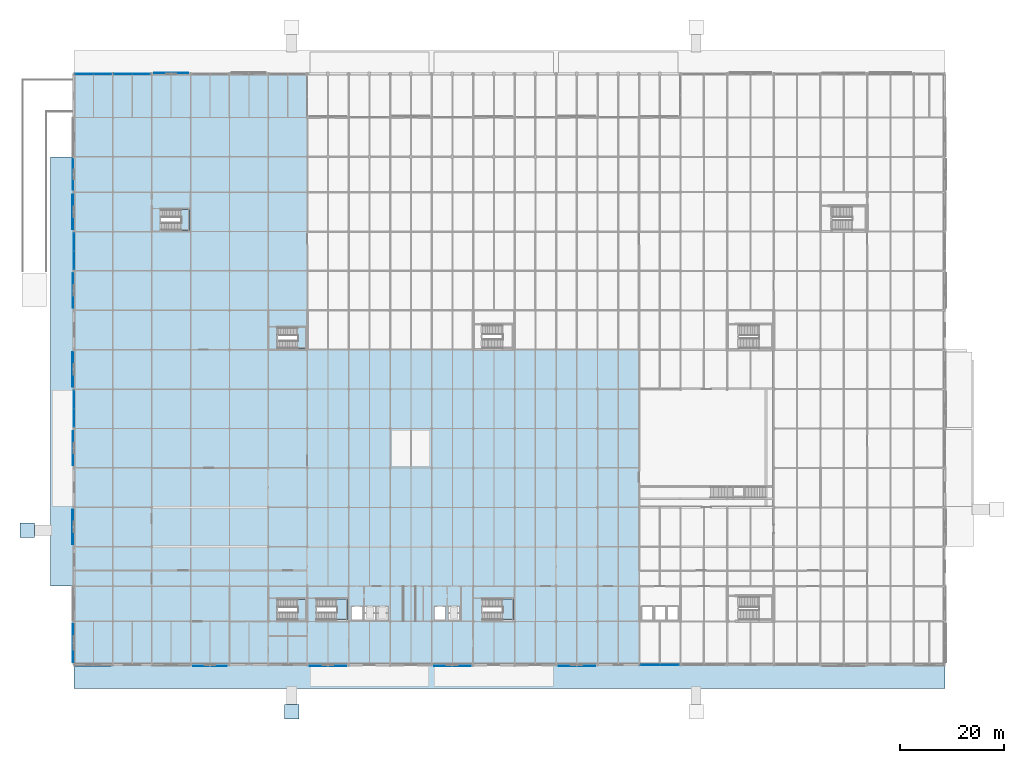
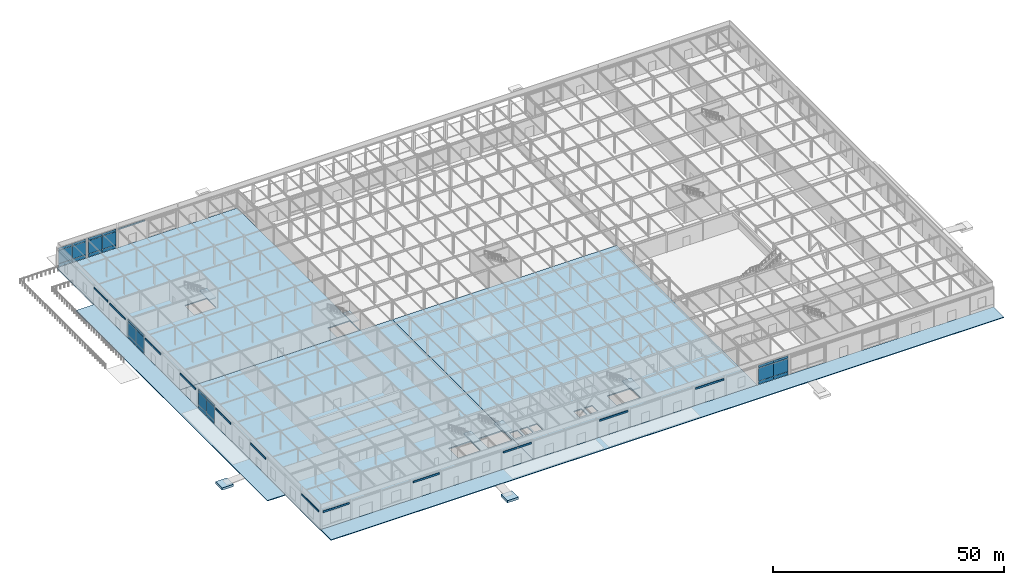
# One storey, part 56 of 89: 43 plates, 12 slabs, 10 elements without a shape of their own.
"""IFC4 building model written with IfcOpenShell, lengths in metres."""

import ifcopenshell
import ifcopenshell.guid

model = None  # the IFC model being written
_history = None  # IfcOwnerHistory: only IFC2X3 demands one
_inside = {}  # id of a spatial element -> (the spatial element, [elements in it])
_under = {}  # id of a project, library or spatial element -> (it, [spatial elements below it])
_declared = {}  # id of a project -> (the project, [libraries it declares])
_typed = {}  # id of a type object -> (the type object, [elements of that type])
_made_of = {}  # id of a material, layer set ... -> (it, [elements and type objects made of it])


def new_model(schema):
    """Start an empty IFC model of exactly this schema.

    Asked for "IFC4X3", IfcOpenShell would pick the latest addendum, in which some entities
    have other attributes; the version numbers below select the first issue.
    IFC2X3 requires an IfcOwnerHistory on every rooted entity: one is made here for all.
    """
    global model, _history
    if schema == "IFC4X3":
        model = ifcopenshell.file(schema_version=(4, 3, 0, 0))
    else:
        model = ifcopenshell.file(schema=schema)
    _inside.clear()
    _under.clear()
    _declared.clear()
    _typed.clear()
    _made_of.clear()
    _history = None
    if model.schema == "IFC2X3":
        org = make("IfcOrganization", Name="unknown")
        user = make(
            "IfcPersonAndOrganization",
            ThePerson=make("IfcPerson", FamilyName="unknown"),
            TheOrganization=org,
        )
        app = make(
            "IfcApplication",
            ApplicationDeveloper=org,
            Version="unknown",
            ApplicationFullName="unknown",
            ApplicationIdentifier="unknown",
        )
        _history = make(
            "IfcOwnerHistory",
            OwningUser=user,
            OwningApplication=app,
            ChangeAction="ADDED",
            CreationDate=0,
        )
    return model


def make(cls, **values):
    """One entity of the class cls with the attributes given. An attribute that is None is left unset."""
    return model.create_entity(
        cls, **{name: value for name, value in values.items() if value is not None}
    )


def rooted(cls, **values):
    """An entity with a GlobalId (a new one), such as an element, a storey or a relation."""
    return make(cls, GlobalId=ifcopenshell.guid.new(), OwnerHistory=_history, **values)


def si_unit(unit_type, name, prefix=None):
    """IfcSIUnit, for example si_unit("LENGTHUNIT", "METRE", prefix="MILLI")."""
    return make("IfcSIUnit", UnitType=unit_type, Prefix=prefix, Name=name)


def assignment(units):
    """IfcUnitAssignment: the units of a project."""
    return None if units is None else make("IfcUnitAssignment", Units=units)


def point(xyz):
    """IfcCartesianPoint."""
    return None if xyz is None else make("IfcCartesianPoint", Coordinates=xyz)


def direction(xyz):
    """IfcDirection."""
    return None if xyz is None else make("IfcDirection", DirectionRatios=xyz)


def frame(location, z_axis=None, x_axis=None):
    """IfcAxis2Placement3D, a coordinate frame: its origin and axes. An axis left out is left unset."""
    return make(
        "IfcAxis2Placement3D",
        Location=point(location),
        Axis=direction(z_axis),
        RefDirection=direction(x_axis),
    )


def frame_2d(location, x_axis=None):
    """IfcAxis2Placement2D, a coordinate frame in the plane: its origin and x axis."""
    return make(
        "IfcAxis2Placement2D", Location=point(location), RefDirection=direction(x_axis)
    )


def origin():
    """The frame at (0, 0, 0) with its axes left unset."""
    return frame((0.0, 0.0, 0.0))


def origin_2d():
    """The frame at (0, 0) in the plane with its x axis left unset."""
    return frame_2d((0.0, 0.0))


def place(relative_to, where):
    """IfcLocalPlacement: puts the frame where relative to a parent placement (None: the world)."""
    return make(
        "IfcLocalPlacement", PlacementRelTo=relative_to, RelativePlacement=where
    )


def context(
    kind, dimensions, precision=None, world=None, true_north=None, identifier=None
):
    """IfcGeometricRepresentationContext, for example the 3D "Model" context."""
    return make(
        "IfcGeometricRepresentationContext",
        ContextIdentifier=identifier,
        ContextType=kind,
        CoordinateSpaceDimension=dimensions,
        Precision=precision,
        WorldCoordinateSystem=world,
        TrueNorth=true_north,
    )


def subcontext(parent, identifier, kind, view, scale=None):
    """IfcGeometricRepresentationSubContext, for example "Body" below "Model"."""
    return make(
        "IfcGeometricRepresentationSubContext",
        ContextIdentifier=identifier,
        ContextType=kind,
        ParentContext=parent,
        TargetScale=scale,
        TargetView=view,
    )


def project(units=None, contexts=None):
    """IfcProject with its units and contexts."""
    return rooted(
        "IfcProject",
        Name="project",
        RepresentationContexts=contexts,
        UnitsInContext=assignment(units),
    )


def spatial(cls, under=None, at=None, **own):
    """A site, building, storey or space (cls), placed at a placement, below another one or the project."""
    s = rooted(cls, ObjectPlacement=at, **own)
    if under is not None:
        _under.setdefault(under.id(), (under, []))[1].append(s)
    return s


def polyline(points):
    """IfcPolyline through the points."""
    return make("IfcPolyline", Points=[point(p) for p in points])


def profile(cls, at=None, kind="AREA", **sizes):
    """A parametric profile (cls). Its sizes go by their IFC names, for example OverallWidth=200.0."""
    return make(cls, ProfileType=kind, Position=at, **sizes)


def rectangle(**sizes):
    """IfcRectangleProfileDef."""
    return profile("IfcRectangleProfileDef", **sizes)


def outline(outer, holes=None, kind="AREA"):
    """IfcArbitraryClosedProfileDef: a profile drawn as a closed curve; with holes, ...WithVoids."""
    if holes is None:
        return make("IfcArbitraryClosedProfileDef", ProfileType=kind, OuterCurve=outer)
    return make(
        "IfcArbitraryProfileDefWithVoids",
        ProfileType=kind,
        OuterCurve=outer,
        InnerCurves=holes,
    )


def extrude(swept, where, along, depth):
    """IfcExtrudedAreaSolid: the profile swept, set in the frame where, extruded along a direction by depth."""
    return make(
        "IfcExtrudedAreaSolid",
        SweptArea=swept,
        Position=where,
        ExtrudedDirection=direction(along),
        Depth=depth,
    )


def shape(context_of_items, identifier, shape_type, items):
    """IfcShapeRepresentation: the items that make up one representation, for example the "Body"."""
    return make(
        "IfcShapeRepresentation",
        ContextOfItems=context_of_items,
        RepresentationIdentifier=identifier,
        RepresentationType=shape_type,
        Items=items,
    )


def material(Name=None, Category=None):
    """IfcMaterial."""
    return make("IfcMaterial", Name=Name, Category=Category)


def layer(
    of_material, thickness, ventilated=None, Name=None, Category=None, Priority=None
):
    """IfcMaterialLayer: one layer of a wall or slab, of a material (None: an air gap)."""
    return make(
        "IfcMaterialLayer",
        Material=of_material,
        LayerThickness=thickness,
        IsVentilated=ventilated,
        Name=Name,
        Category=Category,
        Priority=Priority,
    )


def layer_set(layers, Name=None):
    """IfcMaterialLayerSet."""
    return make("IfcMaterialLayerSet", MaterialLayers=layers, LayerSetName=Name)


def made_of(thing, what):
    """Note that an element or type object is made of a material, layer set ...; save() writes the relation."""
    if what is not None:
        _made_of.setdefault(what.id(), (what, []))[1].append(thing)
    return thing


def type_object(cls, material=None, **own):
    """A type object (cls), such as IfcWallType, which elements share."""
    return made_of(rooted(cls, **own), material)


def element(
    cls,
    number,
    at=None,
    inside=None,
    cuts=None,
    type_object=None,
    material=None,
    context=None,
    identifier="Body",
    shape_type=None,
    held_by="IfcProductDefinitionShape",
    body=None,
    shapes=None,
    **own,
):
    """One element of the class cls, such as IfcWall. Its Tag is "e" and its number.

    at: its placement. inside: the storey or other place that contains it. cuts: it is an
    opening in that element (IfcRelVoidsElement). A single representation is given by context,
    identifier, shape_type and body (its items); several are given by shapes. held_by: the class
    of the entity that holds the representations. save() writes the other relations.
    """
    e = rooted(cls, Tag="e%d" % number, ObjectPlacement=at, **own)
    if body is not None:
        shapes = [shape(context, identifier, shape_type, body)]
    if shapes is not None:
        e.Representation = make(held_by, Representations=shapes)
    if inside is not None:
        _inside.setdefault(inside.id(), (inside, []))[1].append(e)
    if cuts is not None:
        rooted(
            "IfcRelVoidsElement", RelatingBuildingElement=cuts, RelatedOpeningElement=e
        )
    if type_object is not None:
        _typed.setdefault(type_object.id(), (type_object, []))[1].append(e)
    return made_of(e, material)


def aggregate(whole, parts):
    """IfcRelAggregates: a whole, such as a stair, and the parts it consists of."""
    return rooted("IfcRelAggregates", RelatingObject=whole, RelatedObjects=parts)


def save(model, path):
    """Write the relations noted so far, then the file.

    IfcRelAggregates (storeys below a building ...), IfcRelContainedInSpatialStructure (elements
    in a storey), IfcRelDefinesByType, IfcRelAssociatesMaterial and IfcRelDeclares: one each for
    every whole, place, type object, material and project.
    """
    for whole, parts in _under.values():
        aggregate(whole, parts)
    for where, things in _inside.values():
        rooted(
            "IfcRelContainedInSpatialStructure",
            RelatedElements=things,
            RelatingStructure=where,
        )
    for kind, things in _typed.values():
        rooted("IfcRelDefinesByType", RelatedObjects=things, RelatingType=kind)
    for what, things in _made_of.values():
        rooted("IfcRelAssociatesMaterial", RelatedObjects=things, RelatingMaterial=what)
    for by, libraries in _declared.values():
        rooted("IfcRelDeclares", RelatingContext=by, RelatedDefinitions=libraries)
    model.write(path)


model = new_model("IFC4")

# Units and contexts
model_context = context("Model", 3, precision=1e-05, world=origin(), true_north=direction((0.0, 1.0)))
body_context = subcontext(model_context, "Body", "Model", "MODEL_VIEW")
ifc_project = project(units=[si_unit("LENGTHUNIT", "METRE"), si_unit("AREAUNIT", "SQUARE_METRE"), si_unit("VOLUMEUNIT", "CUBIC_METRE"), si_unit("PLANEANGLEUNIT", "RADIAN"), si_unit("MASSUNIT", "GRAM", prefix="KILO")], contexts=[model_context])

# Site, building, storey
site_placement = place(None, origin())
site = spatial("IfcSite", under=ifc_project, at=site_placement, CompositionType="ELEMENT")
building_placement = place(site_placement, origin())
building = spatial("IfcBuilding", under=site, at=building_placement, Name="Shalkamar Park Central Library", CompositionType="ELEMENT")
storey_placement = place(building_placement, origin())
storey = spatial("IfcBuildingStorey", under=building, at=storey_placement, Name="L01", CompositionType="ELEMENT", Elevation=0.0)

# Slabs
ifc_material_1 = material(Name="Concrete C35/45", Category="concrete")
ifc_layer_1 = layer(ifc_material_1, 0.60009765625)
ifc_layer_set_1 = layer_set([ifc_layer_1], Name="Concrete C35/45")
slab_type_1 = type_object("IfcSlabType", Name="Basement Base Slab 600", PredefinedType="BASESLAB", material=ifc_layer_set_1)
slab_1_placement = place(storey_placement, frame((0.0, 0.0, -0.89990234375)))
element("IfcSlab", 1, at=slab_1_placement, inside=storey, type_object=slab_type_1, Name="Approach Grade Pad RMP-S-W", PredefinedType="BASESLAB", context=body_context, shape_type="SweptSolid", body=[
    extrude(outline(polyline([(160.60009765625, 229.60009765625), (163.39990234375, 229.60009765625), (163.39990234375, 232.39990234375), (160.60009765625, 232.39990234375), (160.60009765625, 229.60009765625)])), origin(), (0.0, 0.0, 1.0), 0.599853515625),
])
slab_2_placement = place(storey_placement, frame((0.0, 0.0, -0.89990234375)))
element("IfcSlab", 2, at=slab_2_placement, inside=storey, type_object=slab_type_1, Name="Approach Grade Pad RMP-W-M", PredefinedType="BASESLAB", context=body_context, shape_type="SweptSolid", body=[
    extrude(outline(polyline([(109.60009765625, 264.60009765625), (112.39990234375, 264.60009765625), (112.39990234375, 267.39990234375), (109.60009765625, 267.39990234375), (109.60009765625, 264.60009765625)])), origin(), (0.0, 0.0, 1.0), 0.599853515625),
])

# Plates
ifc_material_2 = material(Name="Anodized bronze architectural frieze plate", Category="aluminium")
ifc_layer_2 = layer(ifc_material_2, 0.110107421875)
ifc_layer_set_2 = layer_set([ifc_layer_2], Name="BronzeSpandrelFriezePlate_110")
plate_type_1 = type_object("IfcPlateType", Name="Bronze Spandrel Frieze Plate 110", PredefinedType="USERDEFINED", material=ifc_layer_set_2)
plate_1_placement = place(storey_placement, frame((123.75, 239.7900390625, 4.42822265625), z_axis=(0.0, 0.0, 1.0), x_axis=(1.0, 0.0, 0.0)))
element("IfcPlate", 3, at=plate_1_placement, inside=storey, type_object=plate_type_1, Name="Bronze Spandrel Frieze Plate L01-001", ObjectType="CLADDING", PredefinedType="USERDEFINED", context=body_context, shape_type="SweptSolid", body=[
    extrude(rectangle(XDim=6.528076171875, YDim=0.110107421875, at=origin_2d()), origin(), (0.0, 0.0, 1.0), 0.449951171875),
])
for number, where, z_axis, x_axis, name in (
    (4, (169.0, 239.7900390625, 4.38818359375), (0.0, 0.0, 1.0), (1.0, 0.0, 0.0), "Bronze Spandrel Frieze Plate L01-003"),
    (5, (217.0, 239.7900390625, 4.38818359375), (0.0, 0.0, 1.0), (1.0, 0.0, 0.0), "Bronze Spandrel Frieze Plate L01-005"),
):
    element("IfcPlate", number, at=place(storey_placement, frame(where, z_axis=z_axis, x_axis=x_axis)), inside=storey, type_object=plate_type_1, Name=name, ObjectType="CLADDING", PredefinedType="USERDEFINED", context=body_context, shape_type="SweptSolid", body=[
        extrude(rectangle(XDim=7.028076171875, YDim=0.110107421875, at=origin_2d()), origin(), (0.0, 0.0, 1.0), 0.449951171875),
    ])
plate_2_placement = place(storey_placement, frame((138.75, 354.2099609375, 4.42822265625), z_axis=(0.0, 0.0, 1.0), x_axis=(1.0, 0.0, 0.0)))
element("IfcPlate", 6, at=plate_2_placement, inside=storey, type_object=plate_type_1, Name="Bronze Spandrel Frieze Plate L01-007", ObjectType="CLADDING", PredefinedType="USERDEFINED", context=body_context, shape_type="SweptSolid", body=[
    extrude(rectangle(XDim=6.528076171875, YDim=0.110107421875, at=origin_2d()), origin(), (0.0, 0.0, 1.0), 0.449951171875),
])
plate_3_placement = place(storey_placement, frame((119.7900390625, 244.199951171875, 4.38818359375), z_axis=(0.0, 0.0, 1.0), x_axis=(1.0, 0.0, 0.0)))
element("IfcPlate", 7, at=plate_3_placement, inside=storey, type_object=plate_type_1, Name="Bronze Spandrel Frieze Plate L01-017", ObjectType="CLADDING", PredefinedType="USERDEFINED", context=body_context, shape_type="SweptSolid", body=[
    extrude(rectangle(XDim=0.110107421875, YDim=7.427978515625, at=origin_2d()), origin(), (0.0, 0.0, 1.0), 0.449951171875),
])
for number, where, z_axis, x_axis, name in (
    (8, (119.7900390625, 281.800048828125, 4.42822265625), (0.0, 0.0, 1.0), (1.0, 0.0, 0.0), "Bronze Spandrel Frieze Plate L01-019"),
    (9, (119.7900390625, 312.199951171875, 4.42822265625), (0.0, 0.0, 1.0), (1.0, 0.0, 0.0), "Bronze Spandrel Frieze Plate L01-021"),
):
    element("IfcPlate", number, at=place(storey_placement, frame(where, z_axis=z_axis, x_axis=x_axis)), inside=storey, type_object=plate_type_1, Name=name, ObjectType="CLADDING", PredefinedType="USERDEFINED", context=body_context, shape_type="SweptSolid", body=[
        extrude(rectangle(XDim=0.110107421875, YDim=6.6279296875, at=origin_2d()), origin(), (0.0, 0.0, 1.0), 0.449951171875),
    ])
plate_4_placement = place(storey_placement, frame((119.7900390625, 334.60009765625, 4.46826171875), z_axis=(0.0, 0.0, 1.0), x_axis=(1.0, 0.0, 0.0)))
element("IfcPlate", 10, at=plate_4_placement, inside=storey, type_object=plate_type_1, Name="Bronze Spandrel Frieze Plate L01-023", ObjectType="CLADDING", PredefinedType="USERDEFINED", context=body_context, shape_type="SweptSolid", body=[
    extrude(rectangle(XDim=0.110107421875, YDim=5.827880859375, at=origin_2d()), origin(), (0.0, 0.0, 1.0), 0.449951171875),
])
ifc_material_3 = material(Name="Anodized bronze stepped frieze plate", Category="aluminium")
ifc_layer_3 = layer(ifc_material_3, 0.139892578125)
ifc_layer_set_3 = layer_set([ifc_layer_3], Name="PostmodernKeystoneFriezePlate_140")
plate_type_2 = type_object("IfcPlateType", Name="Postmodern Keystone Frieze Plate 140", PredefinedType="USERDEFINED", material=ifc_layer_set_3)
plate_5_placement = place(storey_placement, frame((146.25, 239.77490234375, 4.42822265625), z_axis=(0.0, 0.0, 1.0), x_axis=(1.0, 0.0, 0.0)))
element("IfcPlate", 11, at=plate_5_placement, inside=storey, type_object=plate_type_2, Name="Bronze Spandrel Frieze Plate L01-002", ObjectType="CLADDING", PredefinedType="USERDEFINED", context=body_context, shape_type="SweptSolid", body=[
    extrude(rectangle(XDim=6.528076171875, YDim=0.139892578125, at=origin_2d()), origin(), (0.0, 0.0, 1.0), 0.449951171875),
])
plate_6_placement = place(storey_placement, frame((193.0, 239.77490234375, 4.38818359375), z_axis=(0.0, 0.0, 1.0), x_axis=(1.0, 0.0, 0.0)))
element("IfcPlate", 12, at=plate_6_placement, inside=storey, type_object=plate_type_2, Name="Bronze Spandrel Frieze Plate L01-004", ObjectType="CLADDING", PredefinedType="USERDEFINED", context=body_context, shape_type="SweptSolid", body=[
    extrude(rectangle(XDim=7.028076171875, YDim=0.139892578125, at=origin_2d()), origin(), (0.0, 0.0, 1.0), 0.449951171875),
])
for number, where, z_axis, x_axis, name in (
    (13, (119.77490234375, 266.60009765625, 4.42822265625), (0.0, 0.0, 1.0), (1.0, 0.0, 0.0), "Bronze Spandrel Frieze Plate L01-018"),
    (14, (119.77490234375, 297.0, 4.42822265625), (0.0, 0.0, 1.0), (1.0, 0.0, 0.0), "Bronze Spandrel Frieze Plate L01-020"),
    (15, (119.77490234375, 327.39990234375, 4.42822265625), (0.0, 0.0, 1.0), (1.0, 0.0, 0.0), "Bronze Spandrel Frieze Plate L01-022"),
):
    element("IfcPlate", number, at=place(storey_placement, frame(where, z_axis=z_axis, x_axis=x_axis)), inside=storey, type_object=plate_type_2, Name=name, ObjectType="CLADDING", PredefinedType="USERDEFINED", context=body_context, shape_type="SweptSolid", body=[
        extrude(rectangle(XDim=0.139892578125, YDim=6.6279296875, at=origin_2d()), origin(), (0.0, 0.0, 1.0), 0.449951171875),
    ])

# Curtain wall, plates
ifc_material_4 = material(Name="Thermally broken aluminium and triple low-e curtain wall", Category="aluminium")
ifc_layer_4 = layer(ifc_material_4, 0.260009765625)
ifc_layer_set_4 = layer_set([ifc_layer_4], Name="UnitisedCurtainWall_16")
curtain_wall_type_1 = type_object("IfcCurtainWallType", Name="Unitised Curtain Wall 16", PredefinedType="USERDEFINED", material=ifc_layer_set_4)
curtain_wall_1_placement = place(storey_placement, origin())
curtain_wall_1 = element("IfcCurtainWall", 16, at=curtain_wall_1_placement, inside=storey, type_object=curtain_wall_type_1, Name="Unitised Curtain Wall CW-L01-017", ObjectType="UNITISED CURTAIN WALL", PredefinedType="USERDEFINED")
ifc_material_5 = material(Name="Triple-glazed solar-control glass", Category="glass")
ifc_layer_5 = layer(ifc_material_5, 0.031982421875)
ifc_layer_set_5 = layer_set([ifc_layer_5], Name="SolarControlVisionPanel_32")
plate_type_3 = type_object("IfcPlateType", Name="Solar Control Vision Panel 32", PredefinedType="CURTAIN_PANEL", material=ifc_layer_set_5)
plate_7_placement = place(storey_placement, frame((120.0, 287.645751953125, 0.06005859375), z_axis=(0.0, 0.0, 1.0), x_axis=(0.0, 1.0, 0.0)))
plate_7 = element("IfcPlate", 17, at=plate_7_placement, type_object=plate_type_3, Name="CW-16 panel 1.1", PredefinedType="CURTAIN_PANEL", context=body_context, shape_type="SweptSolid", body=[
    extrude(rectangle(XDim=3.43359375, YDim=0.031982421875, at=origin_2d()), origin(), (0.0, 0.0, 1.0), 0.81005859375),
])
plate_8_placement = place(storey_placement, frame((120.0, 287.645751953125, 0.929931640625), z_axis=(0.0, 0.0, 1.0), x_axis=(0.0, 1.0, 0.0)))
plate_8 = element("IfcPlate", 18, at=plate_8_placement, type_object=plate_type_3, Name="CW-16 panel 1.2", PredefinedType="CURTAIN_PANEL", context=body_context, shape_type="SweptSolid", body=[
    extrude(rectangle(XDim=3.43359375, YDim=0.031982421875, at=origin_2d()), origin(), (0.0, 0.0, 1.0), 3.43994140625),
])
plate_9_placement = place(storey_placement, frame((120.0, 287.645751953125, 4.43017578125), z_axis=(0.0, 0.0, 1.0), x_axis=(0.0, 1.0, 0.0)))
plate_9 = element("IfcPlate", 19, at=plate_9_placement, type_object=plate_type_3, Name="CW-16 panel 1.3", PredefinedType="CURTAIN_PANEL", context=body_context, shape_type="SweptSolid", body=[
    extrude(rectangle(XDim=3.43359375, YDim=0.031982421875, at=origin_2d()), origin(), (0.0, 0.0, 1.0), 0.659912109375),
])
plate_10_placement = place(storey_placement, frame((120.0, 291.154296875, 0.06005859375), z_axis=(0.0, 0.0, 1.0), x_axis=(0.0, 1.0, 0.0)))
plate_10 = element("IfcPlate", 20, at=plate_10_placement, type_object=plate_type_3, Name="CW-16 panel 2.1", PredefinedType="CURTAIN_PANEL", context=body_context, shape_type="SweptSolid", body=[
    extrude(rectangle(XDim=3.43359375, YDim=0.031982421875, at=origin_2d()), origin(), (0.0, 0.0, 1.0), 0.81005859375),
])
plate_11_placement = place(storey_placement, frame((120.0, 291.154296875, 0.929931640625), z_axis=(0.0, 0.0, 1.0), x_axis=(0.0, 1.0, 0.0)))
plate_11 = element("IfcPlate", 21, at=plate_11_placement, type_object=plate_type_3, Name="CW-16 panel 2.2", PredefinedType="CURTAIN_PANEL", context=body_context, shape_type="SweptSolid", body=[
    extrude(rectangle(XDim=3.43359375, YDim=0.031982421875, at=origin_2d()), origin(), (0.0, 0.0, 1.0), 3.43994140625),
])
plate_12_placement = place(storey_placement, frame((120.0, 291.154296875, 4.43017578125), z_axis=(0.0, 0.0, 1.0), x_axis=(0.0, 1.0, 0.0)))
plate_12 = element("IfcPlate", 22, at=plate_12_placement, type_object=plate_type_3, Name="CW-16 panel 2.3", PredefinedType="CURTAIN_PANEL", context=body_context, shape_type="SweptSolid", body=[
    extrude(rectangle(XDim=3.43359375, YDim=0.031982421875, at=origin_2d()), origin(), (0.0, 0.0, 1.0), 0.659912109375),
])
aggregate(curtain_wall_1, [plate_7, plate_8, plate_9, plate_10, plate_11, plate_12])

ifc_layer_6 = layer(ifc_material_4, 0.280029296875)
ifc_layer_set_6 = layer_set([ifc_layer_6], Name="UnitisedCurtainWall_17")
curtain_wall_type_2 = type_object("IfcCurtainWallType", Name="Unitised Curtain Wall 17", PredefinedType="USERDEFINED", material=ifc_layer_set_6)
curtain_wall_2_placement = place(storey_placement, origin())
curtain_wall_2 = element("IfcCurtainWall", 23, at=curtain_wall_2_placement, inside=storey, type_object=curtain_wall_type_2, Name="Unitised Curtain Wall CW-L01-018", ObjectType="UNITISED CURTAIN WALL", PredefinedType="USERDEFINED")
plate_13_placement = place(storey_placement, frame((120.0, 318.049560546875, 0.070068359375), z_axis=(0.0, 0.0, 1.0), x_axis=(0.0, 1.0, 0.0)))
plate_13 = element("IfcPlate", 24, at=plate_13_placement, type_object=plate_type_3, Name="CW-17 panel 1.1", PredefinedType="CURTAIN_PANEL", context=body_context, shape_type="SweptSolid", body=[
    extrude(rectangle(XDim=3.410888671875, YDim=0.031982421875, at=origin_2d()), origin(), (0.0, 0.0, 1.0), 0.794921875),
])
plate_14_placement = place(storey_placement, frame((120.0, 318.049560546875, 0.93505859375), z_axis=(0.0, 0.0, 1.0), x_axis=(0.0, 1.0, 0.0)))
plate_14 = element("IfcPlate", 25, at=plate_14_placement, type_object=plate_type_3, Name="CW-17 panel 1.2", PredefinedType="CURTAIN_PANEL", context=body_context, shape_type="SweptSolid", body=[
    extrude(rectangle(XDim=3.410888671875, YDim=0.031982421875, at=origin_2d()), origin(), (0.0, 0.0, 1.0), 3.429931640625),
])
plate_15_placement = place(storey_placement, frame((120.0, 318.049560546875, 4.43505859375), z_axis=(0.0, 0.0, 1.0), x_axis=(0.0, 1.0, 0.0)))
plate_15 = element("IfcPlate", 26, at=plate_15_placement, type_object=plate_type_3, Name="CW-17 panel 1.3", PredefinedType="CURTAIN_PANEL", context=body_context, shape_type="SweptSolid", body=[
    extrude(rectangle(XDim=3.410888671875, YDim=0.031982421875, at=origin_2d()), origin(), (0.0, 0.0, 1.0), 0.64501953125),
])
plate_16_placement = place(storey_placement, frame((120.0, 321.550537109375, 0.070068359375), z_axis=(0.0, 0.0, 1.0), x_axis=(0.0, 1.0, 0.0)))
plate_16 = element("IfcPlate", 27, at=plate_16_placement, type_object=plate_type_3, Name="CW-17 panel 2.1", PredefinedType="CURTAIN_PANEL", context=body_context, shape_type="SweptSolid", body=[
    extrude(rectangle(XDim=3.410888671875, YDim=0.031982421875, at=origin_2d()), origin(), (0.0, 0.0, 1.0), 0.794921875),
])
plate_17_placement = place(storey_placement, frame((120.0, 321.550537109375, 0.93505859375), z_axis=(0.0, 0.0, 1.0), x_axis=(0.0, 1.0, 0.0)))
plate_17 = element("IfcPlate", 28, at=plate_17_placement, type_object=plate_type_3, Name="CW-17 panel 2.2", PredefinedType="CURTAIN_PANEL", context=body_context, shape_type="SweptSolid", body=[
    extrude(rectangle(XDim=3.410888671875, YDim=0.031982421875, at=origin_2d()), origin(), (0.0, 0.0, 1.0), 3.429931640625),
])
plate_18_placement = place(storey_placement, frame((120.0, 321.550537109375, 4.43505859375), z_axis=(0.0, 0.0, 1.0), x_axis=(0.0, 1.0, 0.0)))
plate_18 = element("IfcPlate", 29, at=plate_18_placement, type_object=plate_type_3, Name="CW-17 panel 2.3", PredefinedType="CURTAIN_PANEL", context=body_context, shape_type="SweptSolid", body=[
    extrude(rectangle(XDim=3.410888671875, YDim=0.031982421875, at=origin_2d()), origin(), (0.0, 0.0, 1.0), 0.64501953125),
])
aggregate(curtain_wall_2, [plate_13, plate_14, plate_15, plate_16, plate_17, plate_18])

ifc_layer_7 = layer(ifc_material_4, 0.2548828125)
ifc_layer_set_7 = layer_set([ifc_layer_7], Name="UnitisedCurtainWall_01")
curtain_wall_type_3 = type_object("IfcCurtainWallType", Name="Unitised Curtain Wall 01", PredefinedType="USERDEFINED", material=ifc_layer_set_7)
curtain_wall_3_placement = place(storey_placement, origin())
curtain_wall_3 = element("IfcCurtainWall", 30, at=curtain_wall_3_placement, inside=storey, type_object=curtain_wall_type_3, Name="Unitised Curtain Wall CW-L01-001", ObjectType="UNITISED CURTAIN WALL", PredefinedType="USERDEFINED")
ifc_material_6 = material(Name="Insulated aluminium spandrel panel", Category="aluminium")
ifc_layer_8 = layer(ifc_material_6, 0.080078125)
ifc_layer_set_8 = layer_set([ifc_layer_8], Name="SpandrelShadowboxPanel_80")
plate_type_4 = type_object("IfcPlateType", Name="Spandrel Shadowbox Panel 80", PredefinedType="CURTAIN_PANEL", material=ifc_layer_set_8)
plate_19_placement = place(storey_placement, frame((231.1533203125, 240.0, 0.06494140625), z_axis=(0.0, 0.0, 1.0), x_axis=(1.0, 0.0, 0.0)))
plate_19 = element("IfcPlate", 31, at=plate_19_placement, type_object=plate_type_4, Name="CW-01 panel 1.1", PredefinedType="CURTAIN_PANEL", context=body_context, shape_type="SweptSolid", body=[
    extrude(rectangle(XDim=3.638427734375, YDim=0.080078125, at=origin_2d()), origin(), (0.0, 0.0, 1.0), 0.802490234375),
])
plate_20_placement = place(storey_placement, frame((231.1533203125, 240.0, 0.932373046875), z_axis=(0.0, 0.0, 1.0), x_axis=(1.0, 0.0, 0.0)))
plate_20 = element("IfcPlate", 32, at=plate_20_placement, type_object=plate_type_4, Name="CW-01 panel 1.2", PredefinedType="CURTAIN_PANEL", context=body_context, shape_type="SweptSolid", body=[
    extrude(rectangle(XDim=3.638427734375, YDim=0.080078125, at=origin_2d()), origin(), (0.0, 0.0, 1.0), 3.43505859375),
])
plate_21_placement = place(storey_placement, frame((231.1533203125, 240.0, 4.4326171875), z_axis=(0.0, 0.0, 1.0), x_axis=(1.0, 0.0, 0.0)))
plate_21 = element("IfcPlate", 33, at=plate_21_placement, type_object=plate_type_4, Name="CW-01 panel 1.3", PredefinedType="CURTAIN_PANEL", context=body_context, shape_type="SweptSolid", body=[
    extrude(rectangle(XDim=3.638427734375, YDim=0.080078125, at=origin_2d()), origin(), (0.0, 0.0, 1.0), 0.652587890625),
])
plate_22_placement = place(storey_placement, frame((234.871826171875, 240.0, 0.06494140625), z_axis=(0.0, 0.0, 1.0), x_axis=(1.0, 0.0, 0.0)))
plate_22 = element("IfcPlate", 34, at=plate_22_placement, type_object=plate_type_4, Name="CW-01 panel 2.1", PredefinedType="CURTAIN_PANEL", context=body_context, shape_type="SweptSolid", body=[
    extrude(rectangle(XDim=3.638427734375, YDim=0.080078125, at=origin_2d()), origin(), (0.0, 0.0, 1.0), 0.802490234375),
])
plate_23_placement = place(storey_placement, frame((234.871826171875, 240.0, 0.932373046875), z_axis=(0.0, 0.0, 1.0), x_axis=(1.0, 0.0, 0.0)))
plate_23 = element("IfcPlate", 35, at=plate_23_placement, type_object=plate_type_4, Name="CW-01 panel 2.2", PredefinedType="CURTAIN_PANEL", context=body_context, shape_type="SweptSolid", body=[
    extrude(rectangle(XDim=3.638427734375, YDim=0.080078125, at=origin_2d()), origin(), (0.0, 0.0, 1.0), 3.43505859375),
])
plate_24_placement = place(storey_placement, frame((234.871826171875, 240.0, 4.4326171875), z_axis=(0.0, 0.0, 1.0), x_axis=(1.0, 0.0, 0.0)))
plate_24 = element("IfcPlate", 36, at=plate_24_placement, type_object=plate_type_4, Name="CW-01 panel 2.3", PredefinedType="CURTAIN_PANEL", context=body_context, shape_type="SweptSolid", body=[
    extrude(rectangle(XDim=3.638427734375, YDim=0.080078125, at=origin_2d()), origin(), (0.0, 0.0, 1.0), 0.652587890625),
])
aggregate(curtain_wall_3, [plate_19, plate_20, plate_21, plate_22, plate_23, plate_24])

ifc_layer_9 = layer(ifc_material_4, 0.2548828125)
ifc_layer_set_9 = layer_set([ifc_layer_9], Name="UnitisedCurtainWall_05")
curtain_wall_type_4 = type_object("IfcCurtainWallType", Name="Unitised Curtain Wall 05", PredefinedType="USERDEFINED", material=ifc_layer_set_9)
curtain_wall_4_placement = place(storey_placement, origin())
curtain_wall_4 = element("IfcCurtainWall", 37, at=curtain_wall_4_placement, inside=storey, type_object=curtain_wall_type_4, Name="Unitised Curtain Wall CW-L01-005", ObjectType="UNITISED CURTAIN WALL", PredefinedType="USERDEFINED")
plate_25_placement = place(storey_placement, frame((129.503173828125, 354.0, 0.06494140625), z_axis=(0.0, 0.0, 1.0), x_axis=(1.0, 0.0, 0.0)))
plate_25 = element("IfcPlate", 38, at=plate_25_placement, type_object=plate_type_4, Name="CW-05 panel 1.1", PredefinedType="CURTAIN_PANEL", context=body_context, shape_type="SweptSolid", body=[
    extrude(rectangle(XDim=3.388427734375, YDim=0.080078125, at=origin_2d()), origin(), (0.0, 0.0, 1.0), 0.802490234375),
])
plate_26_placement = place(storey_placement, frame((129.503173828125, 354.0, 0.932373046875), z_axis=(0.0, 0.0, 1.0), x_axis=(1.0, 0.0, 0.0)))
plate_26 = element("IfcPlate", 39, at=plate_26_placement, type_object=plate_type_4, Name="CW-05 panel 1.2", PredefinedType="CURTAIN_PANEL", context=body_context, shape_type="SweptSolid", body=[
    extrude(rectangle(XDim=3.388427734375, YDim=0.080078125, at=origin_2d()), origin(), (0.0, 0.0, 1.0), 3.43505859375),
])
plate_27_placement = place(storey_placement, frame((129.503173828125, 354.0, 4.4326171875), z_axis=(0.0, 0.0, 1.0), x_axis=(1.0, 0.0, 0.0)))
plate_27 = element("IfcPlate", 40, at=plate_27_placement, type_object=plate_type_4, Name="CW-05 panel 1.3", PredefinedType="CURTAIN_PANEL", context=body_context, shape_type="SweptSolid", body=[
    extrude(rectangle(XDim=3.388427734375, YDim=0.080078125, at=origin_2d()), origin(), (0.0, 0.0, 1.0), 0.652587890625),
])
plate_28_placement = place(storey_placement, frame((132.9716796875, 354.0, 0.06494140625), z_axis=(0.0, 0.0, 1.0), x_axis=(1.0, 0.0, 0.0)))
plate_28 = element("IfcPlate", 41, at=plate_28_placement, type_object=plate_type_4, Name="CW-05 panel 2.1", PredefinedType="CURTAIN_PANEL", context=body_context, shape_type="SweptSolid", body=[
    extrude(rectangle(XDim=3.388427734375, YDim=0.080078125, at=origin_2d()), origin(), (0.0, 0.0, 1.0), 0.802490234375),
])
plate_29_placement = place(storey_placement, frame((132.9716796875, 354.0, 0.932373046875), z_axis=(0.0, 0.0, 1.0), x_axis=(1.0, 0.0, 0.0)))
plate_29 = element("IfcPlate", 42, at=plate_29_placement, type_object=plate_type_4, Name="CW-05 panel 2.2", PredefinedType="CURTAIN_PANEL", context=body_context, shape_type="SweptSolid", body=[
    extrude(rectangle(XDim=3.388427734375, YDim=0.080078125, at=origin_2d()), origin(), (0.0, 0.0, 1.0), 3.43505859375),
])
plate_30_placement = place(storey_placement, frame((132.9716796875, 354.0, 4.4326171875), z_axis=(0.0, 0.0, 1.0), x_axis=(1.0, 0.0, 0.0)))
plate_30 = element("IfcPlate", 43, at=plate_30_placement, type_object=plate_type_4, Name="CW-05 panel 2.3", PredefinedType="CURTAIN_PANEL", context=body_context, shape_type="SweptSolid", body=[
    extrude(rectangle(XDim=3.388427734375, YDim=0.080078125, at=origin_2d()), origin(), (0.0, 0.0, 1.0), 0.652587890625),
])
aggregate(curtain_wall_4, [plate_25, plate_26, plate_27, plate_28, plate_29, plate_30])

# Stair, slab
stair_type = type_object("IfcStairType", Name="Protected Dog Leg Stair 150x540", PredefinedType="TWO_STRAIGHT_RUN_STAIR", material=ifc_material_1)
stair_1_placement = place(storey_placement, origin())
stair_1 = element("IfcStair", 44, at=stair_1_placement, inside=storey, type_object=stair_type, Name="Protected Core Stair ST-T1-L01", PredefinedType="TWO_STRAIGHT_RUN_STAIR")
ifc_layer_10 = layer(ifc_material_1, 0.280029296875)
ifc_layer_set_10 = layer_set([ifc_layer_10], Name="Concrete C35/45")
slab_type_2 = type_object("IfcSlabType", Name="Stair Landing Slab 160", PredefinedType="LANDING", material=ifc_layer_set_10)
slab_3_placement = place(storey_placement, frame((0.0, 0.0, 2.419921875)))
slab_3 = element("IfcSlab", 45, at=slab_3_placement, type_object=slab_type_2, Name="ST-T1-L01 landing 1", PredefinedType="LANDING", context=body_context, shape_type="SweptSolid", body=[
    extrude(outline(polyline([(170.5400390625, 248.6201171875), (172.780029296875, 248.6201171875), (172.780029296875, 252.679931640625), (170.5400390625, 252.679931640625), (170.5400390625, 248.6201171875)])), origin(), (0.0, 0.0, 1.0), 0.280029296875),
])
aggregate(stair_1, [slab_3])

stair_2_placement = place(storey_placement, origin())
stair_2 = element("IfcStair", 46, at=stair_2_placement, inside=storey, type_object=stair_type, Name="Protected Core Stair ST-T2-L01", PredefinedType="TWO_STRAIGHT_RUN_STAIR")
slab_4_placement = place(storey_placement, frame((0.0, 0.0, 2.419921875)))
slab_4 = element("IfcSlab", 47, at=slab_4_placement, type_object=slab_type_2, Name="ST-T2-L01 landing 1", PredefinedType="LANDING", context=body_context, shape_type="SweptSolid", body=[
    extrude(outline(polyline([(202.5400390625, 248.6201171875), (204.780029296875, 248.6201171875), (204.780029296875, 252.679931640625), (202.5400390625, 252.679931640625), (202.5400390625, 248.6201171875)])), origin(), (0.0, 0.0, 1.0), 0.280029296875),
])
aggregate(stair_2, [slab_4])

stair_3_placement = place(storey_placement, origin())
stair_3 = element("IfcStair", 48, at=stair_3_placement, inside=storey, type_object=stair_type, Name="Protected Core Stair ST-P1-L01", PredefinedType="TWO_STRAIGHT_RUN_STAIR")
slab_5_placement = place(storey_placement, frame((0.0, 0.0, 2.419921875)))
slab_5 = element("IfcSlab", 49, at=slab_5_placement, type_object=slab_type_2, Name="ST-P1-L01 landing 1", PredefinedType="LANDING", context=body_context, shape_type="SweptSolid", body=[
    extrude(outline(polyline([(163.014892578125, 248.594970703125), (164.804931640625, 248.594970703125), (164.804931640625, 252.655029296875), (163.014892578125, 252.655029296875), (163.014892578125, 248.594970703125)])), origin(), (0.0, 0.0, 1.0), 0.280029296875),
])
aggregate(stair_3, [slab_5])

stair_4_placement = place(storey_placement, origin())
stair_4 = element("IfcStair", 50, at=stair_4_placement, inside=storey, type_object=stair_type, Name="Protected Core Stair ST-P2-L01", PredefinedType="TWO_STRAIGHT_RUN_STAIR")
slab_6_placement = place(storey_placement, frame((0.0, 0.0, 2.419921875)))
slab_6 = element("IfcSlab", 51, at=slab_6_placement, type_object=slab_type_2, Name="ST-P2-L01 landing 1", PredefinedType="LANDING", context=body_context, shape_type="SweptSolid", body=[
    extrude(outline(polyline([(163.014892578125, 300.9951171875), (164.804931640625, 300.9951171875), (164.804931640625, 305.054931640625), (163.014892578125, 305.054931640625), (163.014892578125, 300.9951171875)])), origin(), (0.0, 0.0, 1.0), 0.280029296875),
])
aggregate(stair_4, [slab_6])

stair_5_placement = place(storey_placement, origin())
stair_5 = element("IfcStair", 52, at=stair_5_placement, inside=storey, type_object=stair_type, Name="Protected Core Stair ST-P5-L01", PredefinedType="TWO_STRAIGHT_RUN_STAIR")
slab_7_placement = place(storey_placement, frame((0.0, 0.0, 2.419921875)))
slab_7 = element("IfcSlab", 53, at=slab_7_placement, type_object=slab_type_2, Name="ST-P5-L01 landing 1", PredefinedType="LANDING", context=body_context, shape_type="SweptSolid", body=[
    extrude(outline(polyline([(140.514892578125, 323.794921875), (142.304931640625, 323.794921875), (142.304931640625, 327.85498046875), (140.514892578125, 327.85498046875), (140.514892578125, 323.794921875)])), origin(), (0.0, 0.0, 1.0), 0.280029296875),
])
aggregate(stair_5, [slab_7])

# Slabs
ifc_layer_11 = layer(ifc_material_1, 0.2900390625)
ifc_layer_set_11 = layer_set([ifc_layer_11], Name="Concrete C35/45")
slab_type_3 = type_object("IfcSlabType", Name="Suspended Floor Slab 290", PredefinedType="FLOOR", material=ifc_layer_set_11)
slab_8_placement = place(storey_placement, frame((0.0, 0.0, -0.2900390625)))
element("IfcSlab", 54, at=slab_8_placement, inside=storey, type_object=slab_type_3, Name="Level L01 Composite Floor Slab SW", PredefinedType="FLOOR", context=body_context, shape_type="SweptSolid", body=[
    extrude(outline(polyline([(120.0, 240.0), (120.0, 300.800048828125), (173.0, 300.800048828125), (173.0, 240.0), (120.0, 240.0)]), holes=[polyline([(164.824951171875, 252.675048828125), (159.27490234375, 252.675048828125), (159.27490234375, 248.574951171875), (164.824951171875, 248.574951171875), (164.824951171875, 252.675048828125)]), polyline([(172.800048828125, 252.699951171875), (166.800048828125, 252.699951171875), (166.800048828125, 248.60009765625), (172.800048828125, 248.60009765625), (172.800048828125, 252.699951171875)])]), origin(), (0.0, 0.0, 1.0), 0.2900390625),
])
slab_9_placement = place(storey_placement, frame((0.0, 0.0, -0.2900390625)))
element("IfcSlab", 55, at=slab_9_placement, inside=storey, type_object=slab_type_3, Name="Level L01 Composite Floor Slab SC", PredefinedType="FLOOR", context=body_context, shape_type="SweptSolid", body=[
    extrude(outline(polyline([(173.0, 240.0), (173.0, 300.800048828125), (229.0, 300.800048828125), (229.0, 240.0), (173.0, 240.0)]), holes=[polyline([(175.580078125, 251.22998046875), (173.6201171875, 251.22998046875), (173.6201171875, 248.77001953125), (175.580078125, 248.77001953125), (175.580078125, 251.22998046875)]), polyline([(178.080078125, 251.22998046875), (176.1201171875, 251.22998046875), (176.1201171875, 248.77001953125), (178.080078125, 248.77001953125), (178.080078125, 251.22998046875)]), polyline([(180.47998046875, 251.22998046875), (178.52001953125, 251.22998046875), (178.52001953125, 248.77001953125), (180.47998046875, 248.77001953125), (180.47998046875, 251.22998046875)]), polyline([(191.580078125, 251.22998046875), (189.6201171875, 251.22998046875), (189.6201171875, 248.77001953125), (191.580078125, 248.77001953125), (191.580078125, 251.22998046875)]), polyline([(194.280029296875, 251.22998046875), (192.320068359375, 251.22998046875), (192.320068359375, 248.77001953125), (194.280029296875, 248.77001953125), (194.280029296875, 251.22998046875)]), polyline([(204.800048828125, 252.699951171875), (198.800048828125, 252.699951171875), (198.800048828125, 248.60009765625), (204.800048828125, 248.60009765625), (204.800048828125, 252.699951171875)])]), origin(), (0.0, 0.0, 1.0), 0.2900390625),
])
slab_10_placement = place(storey_placement, frame((0.0, 0.0, -0.2900390625)))
element("IfcSlab", 56, at=slab_10_placement, inside=storey, type_object=slab_type_3, Name="Level L01 Composite Floor Slab NW", PredefinedType="FLOOR", context=body_context, shape_type="SweptSolid", body=[
    extrude(outline(polyline([(120.0, 300.800048828125), (120.0, 354.0), (165.0, 354.0), (165.0, 300.800048828125), (120.0, 300.800048828125)]), holes=[polyline([(164.824951171875, 305.074951171875), (159.27490234375, 305.074951171875), (159.27490234375, 300.97509765625), (164.824951171875, 300.97509765625), (164.824951171875, 305.074951171875)]), polyline([(142.324951171875, 327.875), (136.77490234375, 327.875), (136.77490234375, 323.77490234375), (142.324951171875, 323.77490234375), (142.324951171875, 327.875)])]), origin(), (0.0, 0.0, 1.0), 0.2900390625),
])
ifc_layer_12 = layer(ifc_material_1, 0.179931640625)
ifc_layer_set_12 = layer_set([ifc_layer_12], Name="Concrete C35/45")
slab_type_4 = type_object("IfcSlabType", Name="Terrace Deck Slab 180", PredefinedType="FLOOR", material=ifc_layer_set_12)
slab_11_placement = place(storey_placement, frame((0.0, 0.0, -0.179931640625)))
element("IfcSlab", 57, at=slab_11_placement, inside=storey, type_object=slab_type_4, Name="South Boulevard Entrance and Loading Apron", PredefinedType="FLOOR", context=body_context, shape_type="SweptSolid", body=[
    extrude(outline(polyline([(120.0, 235.5), (288.0, 235.5), (288.0, 240.0), (120.0, 240.0), (120.0, 235.5)])), origin(), (0.0, 0.0, 1.0), 0.179931640625),
])
slab_12_placement = place(storey_placement, frame((0.0, 0.0, -0.179931640625)))
element("IfcSlab", 58, at=slab_12_placement, inside=storey, type_object=slab_type_4, Name="West Park Lane Entrance Apron", PredefinedType="FLOOR", context=body_context, shape_type="SweptSolid", body=[
    extrude(outline(polyline([(115.5, 255.199951171875), (120.0, 255.199951171875), (120.0, 338.0), (115.5, 338.0), (115.5, 255.199951171875)])), origin(), (0.0, 0.0, 1.0), 0.179931640625),
])

# Curtain wall, plates
ifc_layer_13 = layer(ifc_material_4, 0.260009765625)
ifc_layer_set_13 = layer_set([ifc_layer_13], Name="UnitisedCurtainWall_04")
curtain_wall_type_5 = type_object("IfcCurtainWallType", Name="Unitised Curtain Wall 04", PredefinedType="USERDEFINED", material=ifc_layer_set_13)
curtain_wall_5_placement = place(storey_placement, origin())
curtain_wall_5 = element("IfcCurtainWall", 59, at=curtain_wall_5_placement, inside=storey, type_object=curtain_wall_type_5, Name="Unitised Curtain Wall CW-L01-004", ObjectType="UNITISED CURTAIN WALL", PredefinedType="USERDEFINED")
ifc_material_7 = material(Name="Triple-glazed laminated glass", Category="glass")
ifc_layer_14 = layer(ifc_material_7, 0.06005859375)
ifc_layer_set_14 = layer_set([ifc_layer_14], Name="TripleGlazedPodiumPanel_60")
plate_type_5 = type_object("IfcPlateType", Name="Triple Glazed Podium Panel 60", PredefinedType="CURTAIN_PANEL", material=ifc_layer_set_14)
plate_31_placement = place(storey_placement, frame((122.027099609375, 354.0, 0.06005859375), z_axis=(0.0, 0.0, 1.0), x_axis=(1.0, 0.0, 0.0)))
plate_31 = element("IfcPlate", 60, at=plate_31_placement, type_object=plate_type_5, Name="CW-04 panel 1.1", PredefinedType="CURTAIN_PANEL", context=body_context, shape_type="SweptSolid", body=[
    extrude(rectangle(XDim=3.39599609375, YDim=0.06005859375, at=origin_2d()), origin(), (0.0, 0.0, 1.0), 0.81005859375),
])
plate_32_placement = place(storey_placement, frame((122.027099609375, 354.0, 0.929931640625), z_axis=(0.0, 0.0, 1.0), x_axis=(1.0, 0.0, 0.0)))
plate_32 = element("IfcPlate", 61, at=plate_32_placement, type_object=plate_type_5, Name="CW-04 panel 1.2", PredefinedType="CURTAIN_PANEL", context=body_context, shape_type="SweptSolid", body=[
    extrude(rectangle(XDim=3.39599609375, YDim=0.06005859375, at=origin_2d()), origin(), (0.0, 0.0, 1.0), 3.43994140625),
])
plate_33_placement = place(storey_placement, frame((122.027099609375, 354.0, 4.43017578125), z_axis=(0.0, 0.0, 1.0), x_axis=(1.0, 0.0, 0.0)))
plate_33 = element("IfcPlate", 62, at=plate_33_placement, type_object=plate_type_5, Name="CW-04 panel 1.3", PredefinedType="CURTAIN_PANEL", context=body_context, shape_type="SweptSolid", body=[
    extrude(rectangle(XDim=3.39599609375, YDim=0.06005859375, at=origin_2d()), origin(), (0.0, 0.0, 1.0), 0.659912109375),
])
plate_34_placement = place(storey_placement, frame((125.498046875, 354.0, 0.06005859375), z_axis=(0.0, 0.0, 1.0), x_axis=(1.0, 0.0, 0.0)))
plate_34 = element("IfcPlate", 63, at=plate_34_placement, type_object=plate_type_5, Name="CW-04 panel 2.1", PredefinedType="CURTAIN_PANEL", context=body_context, shape_type="SweptSolid", body=[
    extrude(rectangle(XDim=3.39599609375, YDim=0.06005859375, at=origin_2d()), origin(), (0.0, 0.0, 1.0), 0.81005859375),
])
plate_35_placement = place(storey_placement, frame((125.498046875, 354.0, 0.929931640625), z_axis=(0.0, 0.0, 1.0), x_axis=(1.0, 0.0, 0.0)))
plate_35 = element("IfcPlate", 64, at=plate_35_placement, type_object=plate_type_5, Name="CW-04 panel 2.2", PredefinedType="CURTAIN_PANEL", context=body_context, shape_type="SweptSolid", body=[
    extrude(rectangle(XDim=3.39599609375, YDim=0.06005859375, at=origin_2d()), origin(), (0.0, 0.0, 1.0), 3.43994140625),
])
plate_36_placement = place(storey_placement, frame((125.498046875, 354.0, 4.43017578125), z_axis=(0.0, 0.0, 1.0), x_axis=(1.0, 0.0, 0.0)))
plate_36 = element("IfcPlate", 65, at=plate_36_placement, type_object=plate_type_5, Name="CW-04 panel 2.3", PredefinedType="CURTAIN_PANEL", context=body_context, shape_type="SweptSolid", body=[
    extrude(rectangle(XDim=3.39599609375, YDim=0.06005859375, at=origin_2d()), origin(), (0.0, 0.0, 1.0), 0.659912109375),
])
aggregate(curtain_wall_5, [plate_31, plate_32, plate_33, plate_34, plate_35, plate_36])

save(model, "model.ifc")
